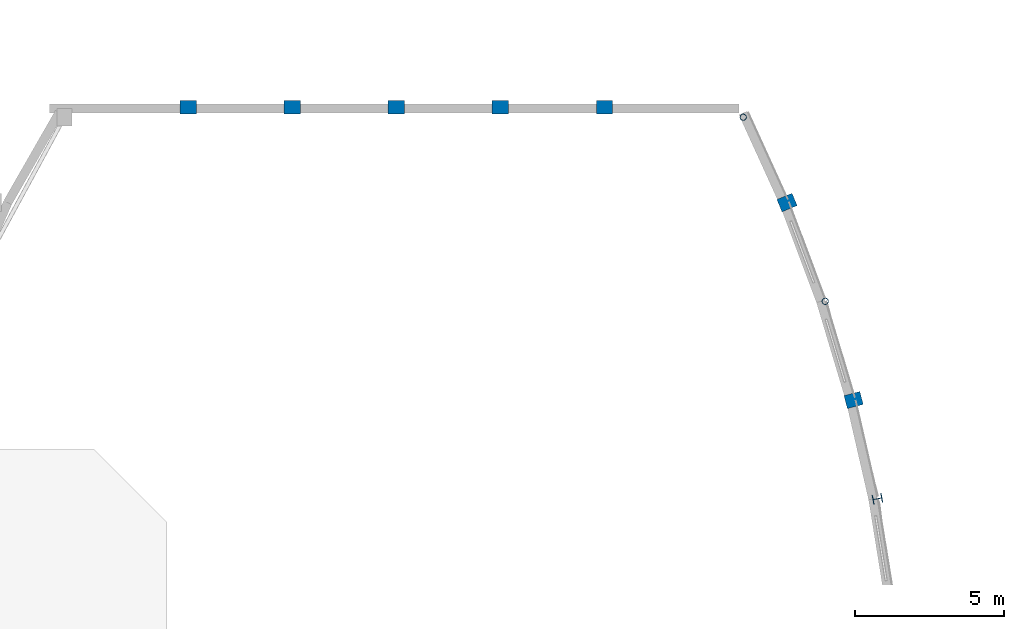
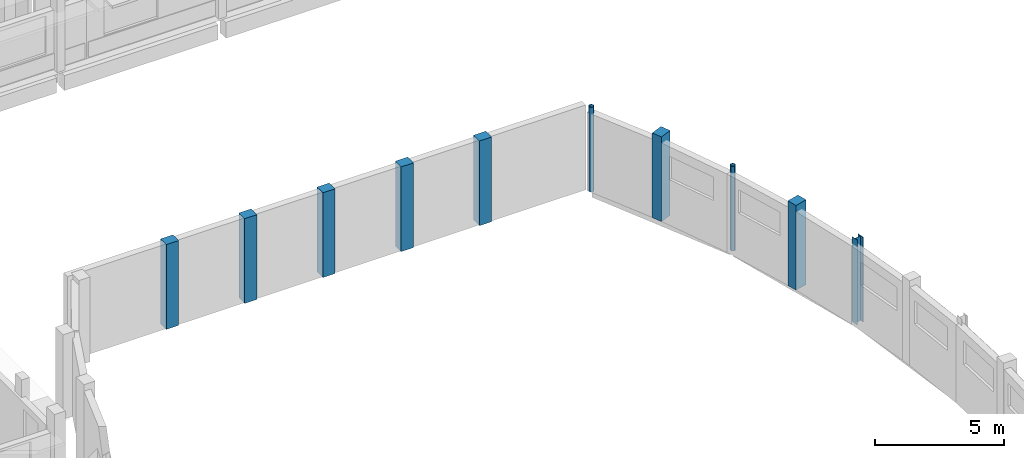
# One storey, part 13 of 89: 10 columns.
"""IFC4 building model written with IfcOpenShell, lengths in metres."""

from ifc_helpers import new_model, si_unit, direction, frame, origin, origin_2d, place, context, subcontext, project, spatial, rectangle, hollow_circle, i_section, extrude, material, material_profile, profile_set, type_object, element, save


model = new_model("IFC4")

# Units and contexts
model_context = context("Model", 3, precision=1e-05, world=origin(), true_north=direction((0.0, 1.0)))
body_context = subcontext(model_context, "Body", "Model", "MODEL_VIEW")
ifc_project = project(units=[si_unit("LENGTHUNIT", "METRE"), si_unit("AREAUNIT", "SQUARE_METRE"), si_unit("VOLUMEUNIT", "CUBIC_METRE"), si_unit("PLANEANGLEUNIT", "RADIAN"), si_unit("MASSUNIT", "GRAM", prefix="KILO")], contexts=[model_context])

# Site, building, storey
site_placement = place(None, origin())
site = spatial("IfcSite", under=ifc_project, at=site_placement, CompositionType="ELEMENT")
building_placement = place(site_placement, origin())
building = spatial("IfcBuilding", under=site, at=building_placement, Name="Kelanivale Promenade Academy", CompositionType="ELEMENT")
storey_placement = place(building_placement, frame((0.0, 0.0, 12.199951171875)))
storey = spatial("IfcBuildingStorey", under=building, at=storey_placement, Name="L03", CompositionType="ELEMENT", Elevation=12.199951171875)

# Columns
ifc_material_1 = material(Name="Concrete C40/50", Category="concrete")
ifc_material_profile_1 = material_profile(ifc_material_1, rectangle(XDim=0.449951171875, YDim=0.550048828125, at=origin_2d()), Name="RC-PIL 450x550")
ifc_profile_set_1 = profile_set([ifc_material_profile_1], Name="Concrete C40/50")
column_type_1 = type_object("IfcColumnType", Name="PL-17 RC-PIL 450x550", PredefinedType="PILASTER", material=ifc_profile_set_1)
for number, where, z_axis, x_axis, name in (
    (1, (132.30810546875, 79.280029296875, 0.0), (0.0, 0.0, 1.0), (0.0, 1.0, 0.0), "Column PL-17 at (132.3, 79.3) L03"),
    (2, (135.801025390625, 79.280029296875, 0.0), (0.0, 0.0, 1.0), (0.0, 1.0, 0.0), "Column PL-17 at (135.8, 79.3) L03"),
    (3, (139.2939453125, 79.280029296875, 0.0), (0.0, 0.0, 1.0), (0.0, 1.0, 0.0), "Column PL-17 at (139.3, 79.3) L03"),
    (4, (142.787109375, 79.280029296875, 0.0), (0.0, 0.0, 1.0), (0.0, 1.0, 0.0), "Column PL-17 at (142.8, 79.3) L03"),
    (5, (146.280029296875, 79.280029296875, 0.0), (0.0, 0.0, 1.0), (0.0, 1.0, 0.0), "Column PL-17 at (146.3, 79.3) L03"),
    (6, (152.406982421875, 76.0859375, 0.0), (0.0, 0.0, 1.0), (-0.382360914263, 0.92401305794, 0.0), "Column PL-17 at (152.4, 76.1) L03"),
    (7, (154.64208984375, 69.45703125, 0.0), (0.0, 0.0, 1.0), (-0.2549394954, 0.966957007154, 0.0), "Column PL-17 at (154.6, 69.5) L03"),
):
    element("IfcColumn", number, at=place(storey_placement, frame(where, z_axis=z_axis, x_axis=x_axis)), inside=storey, type_object=column_type_1, Name=name, PredefinedType="PILASTER", context=body_context, shape_type="SweptSolid", body=[
        extrude(rectangle(XDim=0.449951171875, YDim=0.550048828125, at=origin_2d()), origin(), (0.0, 0.0, 1.0), 4.0),
    ])
ifc_material_2 = material(Name="Steel S355", Category="steel")
ifc_material_profile_2 = material_profile(ifc_material_2, i_section(OverallWidth=0.307373046875, OverallDepth=0.314453125, WebThickness=0.011962890625, FlangeThickness=0.018798828125, FilletRadius=0.01513671875, at=origin_2d()), Name="UC 305x305x118")
ifc_profile_set_2 = profile_set([ifc_material_profile_2], Name="Steel S355")
column_type_2 = type_object("IfcColumnType", Name="SC-04 UC 305x305x118", PredefinedType="COLUMN", material=ifc_profile_set_2)
column_placement = place(storey_placement, frame((155.44091796875, 66.14306640625, 0.0), z_axis=(0.0, 0.0, 1.0), x_axis=(-0.191151636272, 0.981560518741, 0.0)))
element("IfcColumn", 8, at=column_placement, inside=storey, type_object=column_type_2, Name="Column SC-04 at (155.4, 66.1) L03", PredefinedType="COLUMN", context=body_context, shape_type="SweptSolid", body=[
    extrude(i_section(OverallWidth=0.307373046875, OverallDepth=0.314453125, WebThickness=0.011962890625, FlangeThickness=0.018798828125, FilletRadius=0.01513671875, at=origin_2d()), origin(), (0.0, 0.0, 1.0), 4.0),
])
ifc_material_profile_3 = material_profile(ifc_material_2, hollow_circle(Radius=0.109619140625, WallThickness=0.010009765625, at=origin_2d()), Name="CHS 219.1x10.0")
ifc_profile_set_3 = profile_set([ifc_material_profile_3], Name="Steel S355")
column_type_3 = type_object("IfcColumnType", Name="SC-06 CHS 219.1x10.0", PredefinedType="PILASTER", material=ifc_profile_set_3)
for number, where, z_axis, x_axis, name in (
    (9, (150.93798828125, 78.949951171875, 0.0), (0.0, 0.0, 1.0), (-0.44619781311, 0.894934361602, 0.0), "Column SC-06 at (150.9, 79.0) L03"),
    (10, (153.68896484375, 72.77099609375, 0.0), (0.0, 0.0, 1.0), (-0.318628456287, 0.947879690069, 0.0), "Column SC-06 at (153.7, 72.8) L03"),
):
    element("IfcColumn", number, at=place(storey_placement, frame(where, z_axis=z_axis, x_axis=x_axis)), inside=storey, type_object=column_type_3, Name=name, PredefinedType="PILASTER", context=body_context, shape_type="SweptSolid", body=[
        extrude(hollow_circle(Radius=0.109619140625, WallThickness=0.010009765625, at=origin_2d()), origin(), (0.0, 0.0, 1.0), 4.0),
    ])

save(model, "model.ifc")
